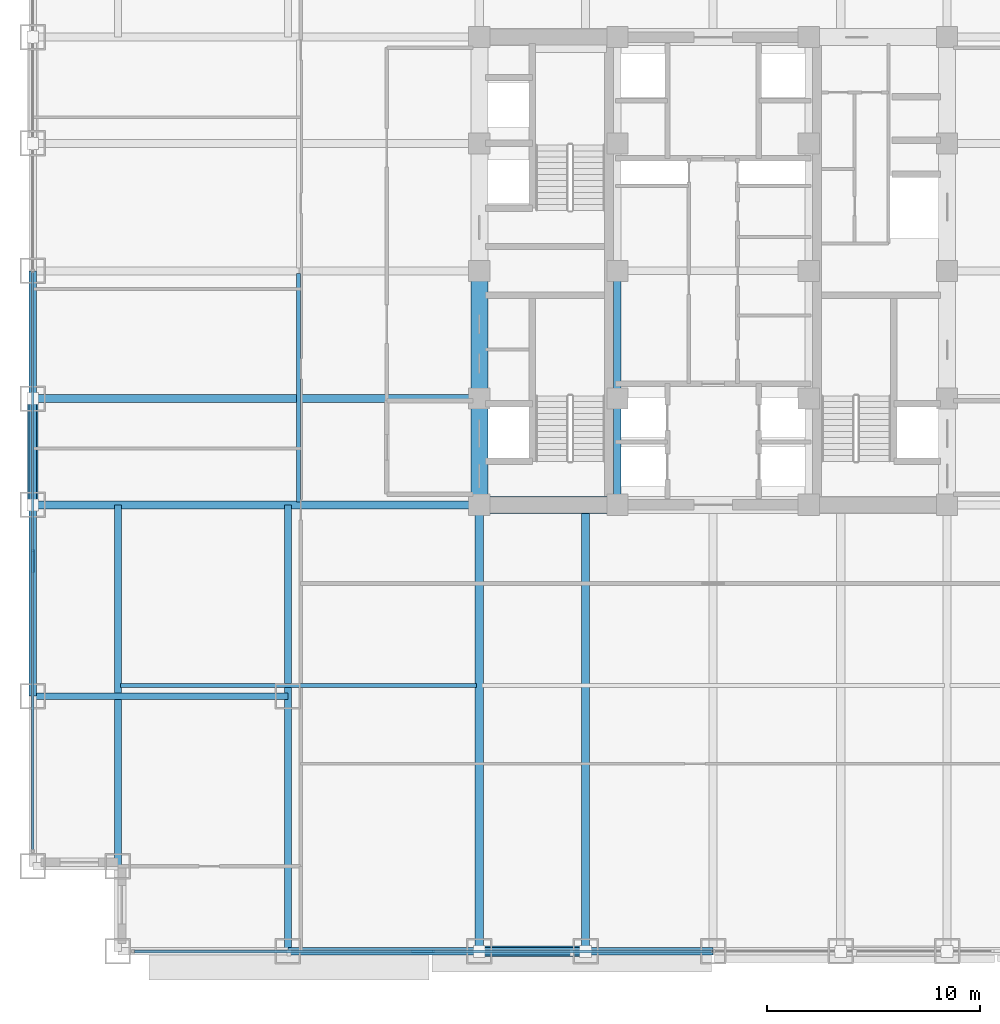
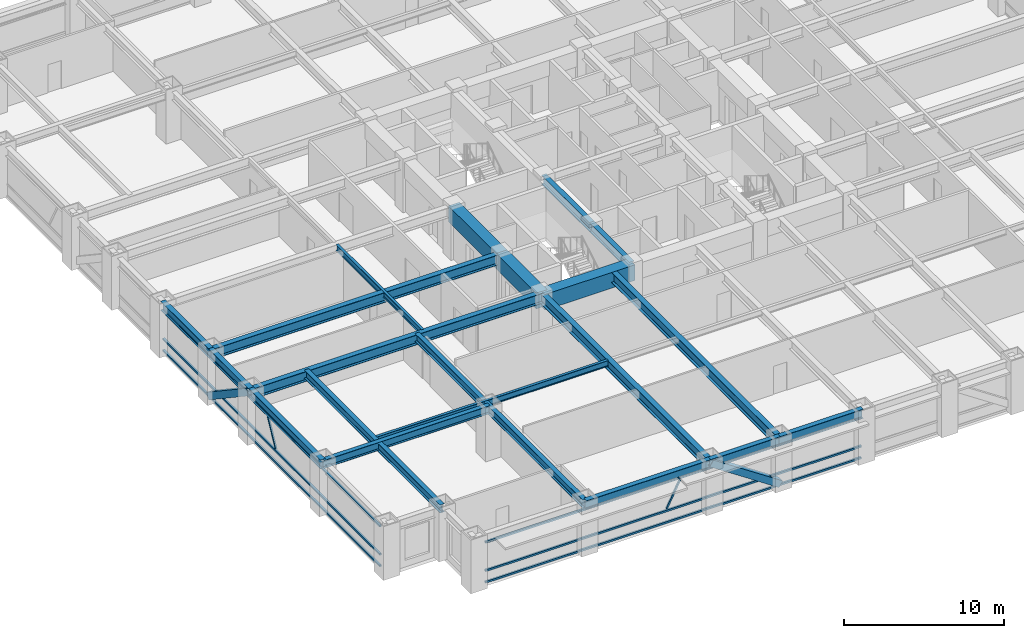
# One storey, part 3 of 32: 20 beams, 10 members, 2 elements without a shape of their own.
"""IFC4 building model written with IfcOpenShell, lengths in metres."""

from ifc_helpers import new_model, si_unit, direction, frame, origin, origin_2d, place, context, subcontext, project, spatial, rectangle, hollow_rectangle, i_section, extrude, source, transform, mapped, material, material_profile, profile_set, type_object, element, aggregate, save


model = new_model("IFC4")

# Units and contexts
model_context = context("Model", 3, precision=1e-05, world=origin(), true_north=direction((0.0, 1.0)))
body_context = subcontext(model_context, "Body", "Model", "MODEL_VIEW")
ifc_project = project(units=[si_unit("LENGTHUNIT", "METRE"), si_unit("AREAUNIT", "SQUARE_METRE"), si_unit("VOLUMEUNIT", "CUBIC_METRE"), si_unit("PLANEANGLEUNIT", "RADIAN"), si_unit("MASSUNIT", "GRAM", prefix="KILO")], contexts=[model_context])

# Site, building, storey
site_placement = place(None, origin())
site = spatial("IfcSite", under=ifc_project, at=site_placement, CompositionType="ELEMENT")
building_placement = place(site_placement, origin())
building = spatial("IfcBuilding", under=site, at=building_placement, Name="Khorayat Bourse Tower", CompositionType="ELEMENT")
storey_placement = place(building_placement, frame((0.0, 0.0, 99.60009765625)))
storey = spatial("IfcBuildingStorey", under=building, at=storey_placement, Name="L22", CompositionType="ELEMENT", Elevation=99.60009765625)

# Beams
ifc_material_1 = material(Name="Concrete C72/90", Category="concrete")
ifc_material_profile_1 = material_profile(ifc_material_1, rectangle(XDim=0.800048828125, YDim=1.199951171875, at=origin_2d()), Name="RC 800x1200")
ifc_profile_set_1 = profile_set([ifc_material_profile_1], Name="Concrete C72/90")
beam_type_1 = type_object("IfcBeamType", Name="BM-COUP-1200", PredefinedType="BEAM", material=ifc_profile_set_1)
shared_shape_1 = source(origin(), body_context, "Body", "SweptSolid", [
    extrude(rectangle(XDim=0.800048828125, YDim=1.199951171875, at=origin_2d()), origin(), (0.0, 0.0, 1.0), 5.0),
])
beam_1_placement = place(storey_placement, frame((-11.0, -11.0, 3.239990234375), z_axis=(0.0, 1.0, 0.0), x_axis=(-1.0, 0.0, 0.0)))
element("IfcBeam", 1, at=beam_1_placement, inside=storey, type_object=beam_type_1, Name="L22 BM-COUP-1200 BM-L22-CRX-01", PredefinedType="BEAM", context=body_context, shape_type="MappedRepresentation", body=[
    mapped(shared_shape_1, transform((0.0, 0.0, 0.0), scale=1.0)),
])
shared_shape_2 = source(origin(), body_context, "Body", "SweptSolid", [
    extrude(rectangle(XDim=0.800048828125, YDim=1.199951171875, at=origin_2d()), origin(), (0.0, 0.0, 1.0), 6.0),
])
beam_2_placement = place(storey_placement, frame((-11.0, -6.0, 3.239990234375), z_axis=(0.0, 1.0, 0.0), x_axis=(-1.0, 0.0, 0.0)))
element("IfcBeam", 2, at=beam_2_placement, inside=storey, type_object=beam_type_1, Name="L22 BM-COUP-1200 BM-L22-CRX-02", PredefinedType="BEAM", context=body_context, shape_type="MappedRepresentation", body=[
    mapped(shared_shape_2, transform((0.0, 0.0, 0.0), scale=1.0)),
])
ifc_material_2 = material(Name="Steel ASTM A992 Grade 50", Category="steel")
ifc_material_profile_2 = material_profile(ifc_material_2, i_section(OverallWidth=0.35498046875, OverallDepth=0.695068359375, WebThickness=0.015380859375, FlangeThickness=0.02490234375, FilletRadius=0.01806640625, at=origin_2d()), Name="W690X217")
ifc_profile_set_2 = profile_set([ifc_material_profile_2], Name="Steel ASTM A992 Grade 50")
beam_type_2 = type_object("IfcBeamType", Name="BM-GIRD-690", PredefinedType="BEAM", material=ifc_profile_set_2)
shared_shape_3 = source(origin(), body_context, "Body", "SweptSolid", [
    extrude(i_section(OverallWidth=0.35498046875, OverallDepth=0.695068359375, WebThickness=0.015380859375, FlangeThickness=0.02490234375, FilletRadius=0.01806640625, at=origin_2d()), origin(), (0.0, 0.0, 1.0), 5.0),
])
beam_3_placement = place(storey_placement, frame((-4.5, -11.0, 3.492431640625), z_axis=(0.0, 1.0, 0.0), x_axis=(-1.0, 0.0, 0.0)))
element("IfcBeam", 3, at=beam_3_placement, inside=storey, type_object=beam_type_2, Name="L22 BM-GIRD-690 BM-L22-CRX-05", PredefinedType="BEAM", context=body_context, shape_type="MappedRepresentation", body=[
    mapped(shared_shape_3, transform((0.0, 0.0, 0.0), scale=1.0)),
])
shared_shape_4 = source(origin(), body_context, "Body", "SweptSolid", [
    extrude(i_section(OverallWidth=0.35498046875, OverallDepth=0.695068359375, WebThickness=0.015380859375, FlangeThickness=0.02490234375, FilletRadius=0.01806640625, at=origin_2d()), origin(), (0.0, 0.0, 1.0), 6.0),
])
beam_4_placement = place(storey_placement, frame((-4.5, -6.0, 3.492431640625), z_axis=(0.0, 1.0, 0.0), x_axis=(-1.0, 0.0, 0.0)))
element("IfcBeam", 4, at=beam_4_placement, inside=storey, type_object=beam_type_2, Name="L22 BM-GIRD-690 BM-L22-CRX-06", PredefinedType="BEAM", context=body_context, shape_type="MappedRepresentation", body=[
    mapped(shared_shape_4, transform((0.0, 0.0, 0.0), scale=1.0)),
])
shared_shape_5 = source(origin(), body_context, "Body", "SweptSolid", [
    extrude(rectangle(XDim=0.800048828125, YDim=1.199951171875, at=origin_2d()), origin(), (0.0, 0.0, 1.0), 6.5),
])
beam_5_placement = place(storey_placement, frame((-11.0, -11.0, 3.239990234375), z_axis=(1.0, 0.0, 0.0), x_axis=(0.0, 1.0, 0.0)))
element("IfcBeam", 5, at=beam_5_placement, inside=storey, type_object=beam_type_1, Name="L22 BM-COUP-1200 BM-L22-CRY-17", PredefinedType="BEAM", context=body_context, shape_type="MappedRepresentation", body=[
    mapped(shared_shape_5, transform((0.0, 0.0, 0.0), scale=1.0)),
])
ifc_material_profile_3 = material_profile(ifc_material_2, i_section(OverallWidth=0.35498046875, OverallDepth=0.695068359375, WebThickness=0.015380859375, FlangeThickness=0.02490234375, FilletRadius=0.01806640625, at=origin_2d()), Name="W690X217")
ifc_profile_set_3 = profile_set([ifc_material_profile_3], Name="Steel ASTM A992 Grade 50")
beam_type_3 = type_object("IfcBeamType", Name="BM-SPAN-690", PredefinedType="SPANDREL", material=ifc_profile_set_3)
shared_shape_6 = source(origin(), body_context, "Body", "SweptSolid", [
    extrude(i_section(OverallWidth=0.35498046875, OverallDepth=0.695068359375, WebThickness=0.015380859375, FlangeThickness=0.02490234375, FilletRadius=0.01806640625, at=origin_2d()), origin(), (0.0, 0.0, 1.0), 9.0),
])
for number, where, z_axis, x_axis, name in (
    (6, (-20.0, -32.0, 3.492431640625), (1.0, 0.0, 0.0), (0.0, 1.0, 0.0), "L22 BM-SPAN-690 BM-L22-SPN-025"),
    (7, (-32.0, -20.0, 3.492431640625), (0.0, 1.0, 0.0), (-1.0, 0.0, 0.0), "L22 BM-SPAN-690 BM-L22-SPN-060"),
):
    element("IfcBeam", number, at=place(storey_placement, frame(where, z_axis=z_axis, x_axis=x_axis)), inside=storey, type_object=beam_type_3, Name=name, PredefinedType="SPANDREL", context=body_context, shape_type="MappedRepresentation", body=[
        mapped(shared_shape_6, transform((0.0, 0.0, 0.0), scale=1.0)),
    ])
shared_shape_7 = source(origin(), body_context, "Body", "SweptSolid", [
    extrude(i_section(OverallWidth=0.35498046875, OverallDepth=0.695068359375, WebThickness=0.015380859375, FlangeThickness=0.02490234375, FilletRadius=0.01806640625, at=origin_2d()), origin(), (0.0, 0.0, 1.0), 5.0),
])
for number, where, z_axis, x_axis, name in (
    (8, (-11.0, -32.0, 3.492431640625), (1.0, 0.0, 0.0), (0.0, 1.0, 0.0), "L22 BM-SPAN-690 BM-L22-SPN-026"),
    (9, (-32.0, -11.0, 3.492431640625), (0.0, 1.0, 0.0), (-1.0, 0.0, 0.0), "L22 BM-SPAN-690 BM-L22-SPN-059"),
):
    element("IfcBeam", number, at=place(storey_placement, frame(where, z_axis=z_axis, x_axis=x_axis)), inside=storey, type_object=beam_type_3, Name=name, PredefinedType="SPANDREL", context=body_context, shape_type="MappedRepresentation", body=[
        mapped(shared_shape_7, transform((0.0, 0.0, 0.0), scale=1.0)),
    ])
shared_shape_8 = source(origin(), body_context, "Body", "SweptSolid", [
    extrude(i_section(OverallWidth=0.35498046875, OverallDepth=0.695068359375, WebThickness=0.015380859375, FlangeThickness=0.02490234375, FilletRadius=0.01806640625, at=origin_2d()), origin(), (0.0, 0.0, 1.0), 6.0),
])
for number, where, z_axis, x_axis, name in (
    (10, (-6.0, -32.0, 3.492431640625), (1.0, 0.0, 0.0), (0.0, 1.0, 0.0), "L22 BM-SPAN-690 BM-L22-SPN-027"),
    (11, (-32.0, -6.0, 3.492431640625), (0.0, 1.0, 0.0), (-1.0, 0.0, 0.0), "L22 BM-SPAN-690 BM-L22-SPN-058"),
):
    element("IfcBeam", number, at=place(storey_placement, frame(where, z_axis=z_axis, x_axis=x_axis)), inside=storey, type_object=beam_type_3, Name=name, PredefinedType="SPANDREL", context=body_context, shape_type="MappedRepresentation", body=[
        mapped(shared_shape_8, transform((0.0, 0.0, 0.0), scale=1.0)),
    ])
ifc_material_profile_4 = material_profile(ifc_material_2, i_section(OverallWidth=0.324951171875, OverallDepth=0.615966796875, WebThickness=0.013916015625, FlangeThickness=0.021484375, FilletRadius=0.01611328125, at=origin_2d()), Name="W610X174")
ifc_profile_set_4 = profile_set([ifc_material_profile_4], Name="Steel ASTM A992 Grade 50")
beam_type_4 = type_object("IfcBeamType", Name="BM-GIRD-610", PredefinedType="BEAM", material=ifc_profile_set_4)
shared_shape_9 = source(origin(), body_context, "Body", "SweptSolid", [
    extrude(i_section(OverallWidth=0.324951171875, OverallDepth=0.615966796875, WebThickness=0.013916015625, FlangeThickness=0.021484375, FilletRadius=0.01611328125, at=origin_2d()), origin(), (0.0, 0.0, 1.0), 21.0),
])
beam_6_placement = place(storey_placement, frame((-20.0, -32.0, 3.531982421875), z_axis=(0.0, 1.0, 0.0), x_axis=(-1.0, 0.0, 0.0)))
element("IfcBeam", 12, at=beam_6_placement, inside=storey, type_object=beam_type_4, Name="L22 BM-GIRD-610 BM-L22-CNRY-084", PredefinedType="BEAM", context=body_context, shape_type="MappedRepresentation", body=[
    mapped(shared_shape_9, transform((0.0, 0.0, 0.0), scale=1.0)),
])
shared_shape_10 = source(origin(), body_context, "Body", "SweptSolid", [
    extrude(i_section(OverallWidth=0.324951171875, OverallDepth=0.615966796875, WebThickness=0.013916015625, FlangeThickness=0.021484375, FilletRadius=0.01611328125, at=origin_2d()), origin(), (0.0, 0.0, 1.0), 12.0),
])
beam_7_placement = place(storey_placement, frame((-32.0, -20.0, 3.531982421875), z_axis=(1.0, 0.0, 0.0), x_axis=(0.0, 1.0, 0.0)))
element("IfcBeam", 13, at=beam_7_placement, inside=storey, type_object=beam_type_4, Name="L22 BM-GIRD-610 BM-L22-CNRX-093", PredefinedType="BEAM", context=body_context, shape_type="MappedRepresentation", body=[
    mapped(shared_shape_10, transform((0.0, 0.0, 0.0), scale=1.0)),
])
ifc_material_profile_5 = material_profile(ifc_material_2, i_section(OverallWidth=0.194091796875, OverallDepth=0.468994140625, WebThickness=0.0126953125, FlangeThickness=0.0205078125, FilletRadius=0.012939453125, at=origin_2d()), Name="W460X106")
ifc_profile_set_5 = profile_set([ifc_material_profile_5], Name="Steel ASTM A992 Grade 50")
beam_type_5 = type_object("IfcBeamType", Name="BM-JOIST-460", PredefinedType="JOIST", material=ifc_profile_set_5)
shared_shape_11 = source(origin(), body_context, "Body", "SweptSolid", [
    extrude(i_section(OverallWidth=0.194091796875, OverallDepth=0.468994140625, WebThickness=0.0126953125, FlangeThickness=0.0205078125, FilletRadius=0.012939453125, at=origin_2d()), origin(), (0.0, 0.0, 1.0), 10.740234375),
])
beam_8_placement = place(storey_placement, frame((-19.5, -10.8701171875, 3.60546875), z_axis=(0.0, 1.0, 0.0), x_axis=(-1.0, 0.0, 0.0)))
element("IfcBeam", 14, at=beam_8_placement, inside=storey, type_object=beam_type_5, Name="L22 BM-JOIST-460 BM-L22-JSTY-102", PredefinedType="JOIST", context=body_context, shape_type="MappedRepresentation", body=[
    mapped(shared_shape_11, transform((0.0, 0.0, 0.0), scale=1.0)),
])
ifc_material_profile_6 = material_profile(ifc_material_2, i_section(OverallWidth=0.381103515625, OverallDepth=0.77294921875, WebThickness=0.0166015625, FlangeThickness=0.027587890625, FilletRadius=0.01806640625, at=origin_2d()), Name="W760X257")
ifc_profile_set_6 = profile_set([ifc_material_profile_6], Name="Steel ASTM A992 Grade 50")
beam_type_6 = type_object("IfcBeamType", Name="BM-GIRD-760", PredefinedType="BEAM", material=ifc_profile_set_6)
shared_shape_12 = source(origin(), body_context, "Body", "SweptSolid", [
    extrude(i_section(OverallWidth=0.381103515625, OverallDepth=0.77294921875, WebThickness=0.0166015625, FlangeThickness=0.027587890625, FilletRadius=0.01806640625, at=origin_2d()), origin(), (0.0, 0.0, 1.0), 21.0),
])
for number, where, z_axis, x_axis, name in (
    (15, (-11.0, -32.0, 3.453369140625), (0.0, 1.0, 0.0), (-1.0, 0.0, 0.0), "L22 BM-GIRD-760 BM-L22-RADY-065"),
    (16, (-6.0, -32.0, 3.453369140625), (0.0, 1.0, 0.0), (-1.0, 0.0, 0.0), "L22 BM-GIRD-760 BM-L22-RADY-067"),
    (17, (-32.0, -11.0, 3.453369140625), (1.0, 0.0, 0.0), (0.0, 1.0, 0.0), "L22 BM-GIRD-760 BM-L22-RADX-075"),
    (18, (-32.0, -6.0, 3.453369140625), (1.0, 0.0, 0.0), (0.0, 1.0, 0.0), "L22 BM-GIRD-760 BM-L22-RADX-077"),
):
    element("IfcBeam", number, at=place(storey_placement, frame(where, z_axis=z_axis, x_axis=x_axis)), inside=storey, type_object=beam_type_6, Name=name, PredefinedType="BEAM", context=body_context, shape_type="MappedRepresentation", body=[
        mapped(shared_shape_12, transform((0.0, 0.0, 0.0), scale=1.0)),
    ])
shared_shape_13 = source(origin(), body_context, "Body", "SweptSolid", [
    extrude(i_section(OverallWidth=0.324951171875, OverallDepth=0.615966796875, WebThickness=0.013916015625, FlangeThickness=0.021484375, FilletRadius=0.01611328125, at=origin_2d()), origin(), (0.0, 0.0, 1.0), 17.0),
])
beam_9_placement = place(storey_placement, frame((-28.0, -28.0, 3.531982421875), z_axis=(0.0, 1.0, 0.0), x_axis=(-1.0, 0.0, 0.0)))
element("IfcBeam", 19, at=beam_9_placement, inside=storey, type_object=beam_type_4, Name="L22 BM-GIRD-610 BM-L22-CNRY-088", PredefinedType="BEAM", context=body_context, shape_type="MappedRepresentation", body=[
    mapped(shared_shape_13, transform((0.0, 0.0, 0.0), scale=1.0)),
])
shared_shape_14 = source(origin(), body_context, "Body", "SweptSolid", [
    extrude(i_section(OverallWidth=0.194091796875, OverallDepth=0.468994140625, WebThickness=0.0126953125, FlangeThickness=0.0205078125, FilletRadius=0.012939453125, at=origin_2d()), origin(), (0.0, 0.0, 1.0), 16.740234375),
])
beam_10_placement = place(storey_placement, frame((-27.8701171875, -19.5, 3.60546875), z_axis=(1.0, 0.0, 0.0), x_axis=(0.0, 1.0, 0.0)))
element("IfcBeam", 20, at=beam_10_placement, inside=storey, type_object=beam_type_5, Name="L22 BM-JOIST-460 BM-L22-JSTX-096", PredefinedType="JOIST", context=body_context, shape_type="MappedRepresentation", body=[
    mapped(shared_shape_14, transform((0.0, 0.0, 0.0), scale=1.0)),
])

# Members
ifc_material_3 = material(Name="Steel EN 10025-4 S460M", Category="steel")
ifc_material_profile_7 = material_profile(ifc_material_3, hollow_rectangle(XDim=0.5, YDim=0.5, WallThickness=0.028076171875, at=origin_2d()), Name="HSS 500x500x28")
ifc_profile_set_7 = profile_set([ifc_material_profile_7], Name="Steel EN 10025-4 S460M")
member_type_1 = type_object("IfcMemberType", Name="MBR-TUBE-500", PredefinedType="BRACE", material=ifc_profile_set_7)
shared_shape_15 = source(origin(), body_context, "Body", "SweptSolid", [
    extrude(hollow_rectangle(XDim=0.5, YDim=0.5, WallThickness=0.028076171875, at=origin_2d()), origin(), (0.0, 0.0, 1.0), 6.012939453125),
])
for number, where, z_axis, x_axis, name in (
    (21, (-11.0, -32.0, 3.58984375), (0.831550226979, 0.0, -0.555449565677), (0.0, 1.0, 0.0), "L22 Perimeter Tube Brace 01"),
    (22, (-32.0, -11.0, 3.58984375), (0.0, 0.831550226979, -0.555449565677), (-1.0, 0.0, 0.0), "L22 Perimeter Tube Brace 05"),
):
    element("IfcMember", number, at=place(storey_placement, frame(where, z_axis=z_axis, x_axis=x_axis)), inside=storey, type_object=member_type_1, Name=name, PredefinedType="BRACE", context=body_context, shape_type="MappedRepresentation", body=[
        mapped(shared_shape_15, transform((0.0, 0.0, 0.0), scale=1.0)),
    ])

# Curtain wall, members
ifc_material_4 = material(Name="Aluminium EN AW-6063 T6", Category="aluminium")
curtain_wall_type = type_object("IfcCurtainWallType", Name="CW-SYS-02", PredefinedType="NOTDEFINED", material=ifc_material_4)
curtain_wall_1_placement = place(storey_placement, origin())
curtain_wall_1 = element("IfcCurtainWall", 23, at=curtain_wall_1_placement, inside=storey, type_object=curtain_wall_type, Name="L22 Curtain Wall CW-L22-S1", PredefinedType="NOTDEFINED")
ifc_material_profile_8 = material_profile(ifc_material_4, hollow_rectangle(XDim=0.139892578125, YDim=0.139892578125, WallThickness=0.006103515625, at=origin_2d()), Name="ALU 140x140x6")
ifc_profile_set_8 = profile_set([ifc_material_profile_8], Name="Aluminium EN AW-6063 T6")
member_type_2 = type_object("IfcMemberType", Name="CWT-HORZ-140", PredefinedType="USERDEFINED", material=ifc_profile_set_8)
shared_shape_16 = source(origin(), body_context, "Body", "SweptSolid", [
    extrude(hollow_rectangle(XDim=0.139892578125, YDim=0.139892578125, WallThickness=0.006103515625, at=origin_2d()), origin(), (0.0, 0.0, 1.0), 27.139892578125),
])
member_1_placement = place(storey_placement, frame((-27.2099609375, -32.0, 0.06982421875), z_axis=(1.0, 0.0, 0.0), x_axis=(0.0, 1.0, 0.0)))
member_1 = element("IfcMember", 24, at=member_1_placement, type_object=member_type_2, Name="CW-L22-S1 Horizontal Transom 1-1", ObjectType="TRANSOM", PredefinedType="USERDEFINED", context=body_context, shape_type="MappedRepresentation", body=[
    mapped(shared_shape_16, transform((0.0, 0.0, 0.0), scale=1.0)),
])
member_2_placement = place(storey_placement, frame((-27.2099609375, -32.0, 0.949951171875), z_axis=(1.0, 0.0, 0.0), x_axis=(0.0, 1.0, 0.0)))
member_2 = element("IfcMember", 25, at=member_2_placement, type_object=member_type_2, Name="CW-L22-S1 Horizontal Transom 1-2", ObjectType="TRANSOM", PredefinedType="USERDEFINED", context=body_context, shape_type="MappedRepresentation", body=[
    mapped(shared_shape_16, transform((0.0, 0.0, 0.0), scale=1.0)),
])
member_3_placement = place(storey_placement, frame((-27.2099609375, -32.0, 3.119873046875), z_axis=(1.0, 0.0, 0.0), x_axis=(0.0, 1.0, 0.0)))
member_3 = element("IfcMember", 26, at=member_3_placement, type_object=member_type_2, Name="CW-L22-S1 Horizontal Transom 1-3", ObjectType="TRANSOM", PredefinedType="USERDEFINED", context=body_context, shape_type="MappedRepresentation", body=[
    mapped(shared_shape_16, transform((0.0, 0.0, 0.0), scale=1.0)),
])

curtain_wall_2_placement = place(storey_placement, origin())
curtain_wall_2 = element("IfcCurtainWall", 27, at=curtain_wall_2_placement, inside=storey, type_object=curtain_wall_type, Name="L22 Curtain Wall CW-L22-W1", PredefinedType="NOTDEFINED")
member_4_placement = place(storey_placement, frame((-32.0, -27.2099609375, 0.06982421875), z_axis=(0.0, 1.0, 0.0), x_axis=(-1.0, 0.0, 0.0)))
member_4 = element("IfcMember", 28, at=member_4_placement, type_object=member_type_2, Name="CW-L22-W1 Horizontal Transom 1-1", ObjectType="TRANSOM", PredefinedType="USERDEFINED", context=body_context, shape_type="MappedRepresentation", body=[
    mapped(shared_shape_16, transform((0.0, 0.0, 0.0), scale=1.0)),
])
member_5_placement = place(storey_placement, frame((-32.0, -27.2099609375, 0.949951171875), z_axis=(0.0, 1.0, 0.0), x_axis=(-1.0, 0.0, 0.0)))
member_5 = element("IfcMember", 29, at=member_5_placement, type_object=member_type_2, Name="CW-L22-W1 Horizontal Transom 1-2", ObjectType="TRANSOM", PredefinedType="USERDEFINED", context=body_context, shape_type="MappedRepresentation", body=[
    mapped(shared_shape_16, transform((0.0, 0.0, 0.0), scale=1.0)),
])
member_6_placement = place(storey_placement, frame((-32.0, -27.2099609375, 3.119873046875), z_axis=(0.0, 1.0, 0.0), x_axis=(-1.0, 0.0, 0.0)))
member_6 = element("IfcMember", 30, at=member_6_placement, type_object=member_type_2, Name="CW-L22-W1 Horizontal Transom 1-3", ObjectType="TRANSOM", PredefinedType="USERDEFINED", context=body_context, shape_type="MappedRepresentation", body=[
    mapped(shared_shape_16, transform((0.0, 0.0, 0.0), scale=1.0)),
])

# Member
ifc_material_profile_9 = material_profile(ifc_material_4, hollow_rectangle(XDim=0.1201171875, YDim=0.1201171875, WallThickness=0.0048828125, at=origin_2d()), Name="ALU 120x120x5")
ifc_profile_set_9 = profile_set([ifc_material_profile_9], Name="Aluminium EN AW-6063 T6")
member_type_3 = type_object("IfcMemberType", Name="CWM-DIAG-120", PredefinedType="MULLION", material=ifc_profile_set_9)
shared_shape_17 = source(origin(), body_context, "Body", "SweptSolid", [
    extrude(hollow_rectangle(XDim=0.1201171875, YDim=0.1201171875, WallThickness=0.0048828125, at=origin_2d()), origin(), (0.0, 0.0, 1.0), 2.11328125),
])
member_7_placement = place(storey_placement, frame((-14.132080078125, -32.0, 1.099853515625), z_axis=(0.465694055905, 0.0, 0.884945787207), x_axis=(0.0, 1.0, 0.0)))
member_7 = element("IfcMember", 31, at=member_7_placement, type_object=member_type_3, Name="CW-L22-S1 Faceted Diagonal Mullion 1", PredefinedType="MULLION", context=body_context, shape_type="MappedRepresentation", body=[
    mapped(shared_shape_17, transform((0.0, 0.0, 0.0), scale=1.0)),
])

aggregate(curtain_wall_1, [member_1, member_2, member_3, member_7])

member_8_placement = place(storey_placement, frame((-32.0, -14.132080078125, 1.099853515625), z_axis=(0.0, 0.465694055905, 0.884945787207), x_axis=(-1.0, 0.0, 0.0)))
member_8 = element("IfcMember", 32, at=member_8_placement, type_object=member_type_3, Name="CW-L22-W1 Faceted Diagonal Mullion 1", PredefinedType="MULLION", context=body_context, shape_type="MappedRepresentation", body=[
    mapped(shared_shape_17, transform((0.0, 0.0, 0.0), scale=1.0)),
])

aggregate(curtain_wall_2, [member_4, member_5, member_6, member_8])

save(model, "model.ifc")
